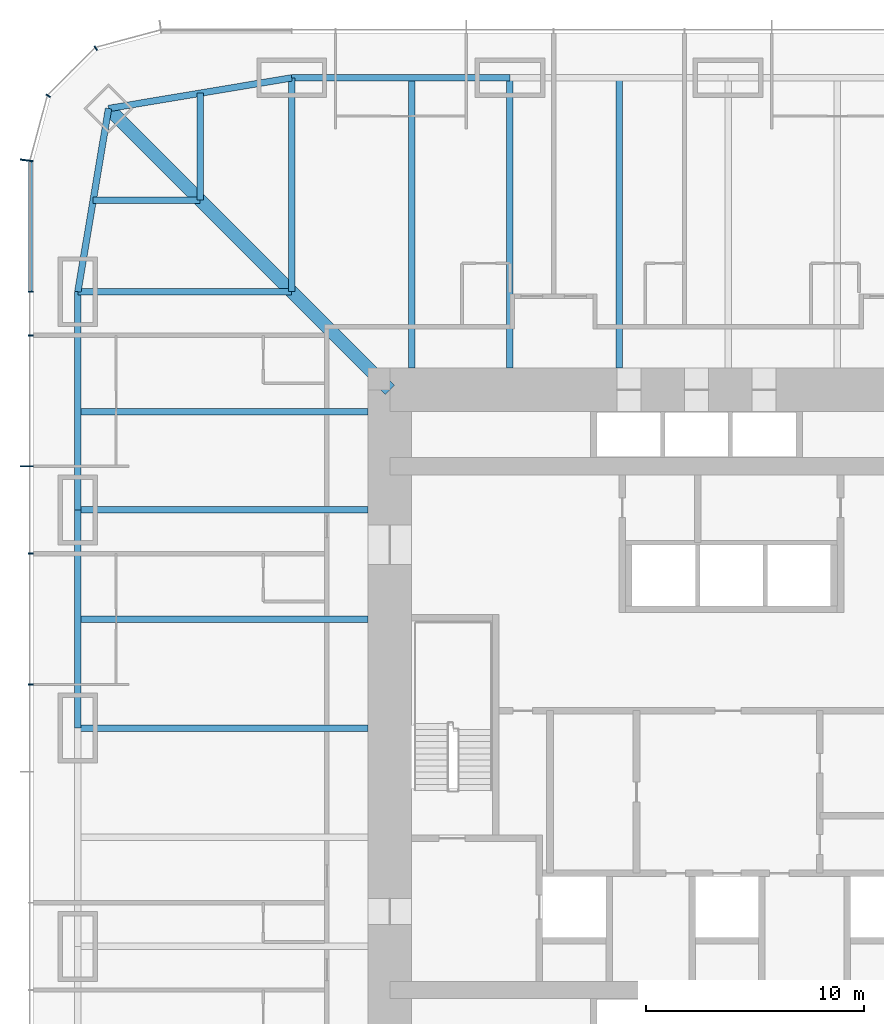
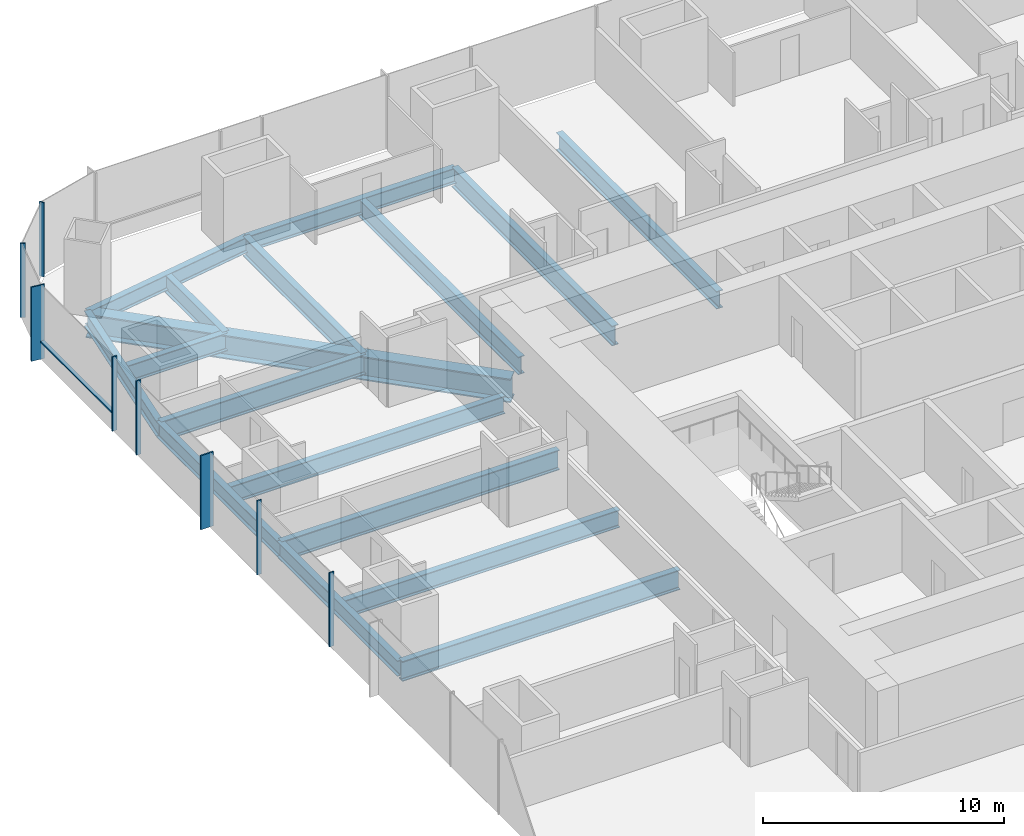
# One storey, part 6 of 20: 17 beams, 9 members, 2 elements without a shape of their own.
"""IFC4 building model written with IfcOpenShell, lengths in metres."""

from ifc_helpers import new_model, si_unit, direction, frame, origin, origin_2d, place, context, subcontext, project, spatial, rectangle, i_section, extrude, material, material_profile, profile_set, type_object, element, aggregate, save


model = new_model("IFC4")

# Units and contexts
model_context = context("Model", 3, precision=1e-05, world=origin(), true_north=direction((0.0, 1.0)))
body_context = subcontext(model_context, "Body", "Model", "MODEL_VIEW")
ifc_project = project(units=[si_unit("LENGTHUNIT", "METRE"), si_unit("AREAUNIT", "SQUARE_METRE"), si_unit("VOLUMEUNIT", "CUBIC_METRE"), si_unit("PLANEANGLEUNIT", "RADIAN"), si_unit("MASSUNIT", "GRAM", prefix="KILO")], contexts=[model_context])

# Site, building, storey
site_placement = place(None, origin())
site = spatial("IfcSite", under=ifc_project, at=site_placement, CompositionType="ELEMENT")
building_placement = place(site_placement, origin())
building = spatial("IfcBuilding", under=site, at=building_placement, Name="Khuree Lantern Residences", CompositionType="ELEMENT")
storey_placement = place(building_placement, frame((0.0, 0.0, 24.75)))
storey = spatial("IfcBuildingStorey", under=building, at=storey_placement, Name="L05", CompositionType="ELEMENT", Elevation=24.75)

# Beams
ifc_material_1 = material(Name="Steel S355", Category="steel")
ifc_material_profile_1 = material_profile(ifc_material_1, i_section(OverallWidth=0.300048828125, OverallDepth=0.889892578125, WebThickness=0.01611328125, FlangeThickness=0.030029296875, FilletRadius=0.030029296875, at=origin_2d()), Name="HE 900 A")
ifc_profile_set_1 = profile_set([ifc_material_profile_1], Name="Steel S355")
beam_type_1 = type_object("IfcBeamType", Name="B-11 SECONDARY BEAM HE 900 A", PredefinedType="BEAM", material=ifc_profile_set_1)
for number, where, z_axis, x_axis, name in (
    (1, (-14.5, 29.800048828125, -0.695068359375), (0.0, -1.0, 0.0), (1.0, 0.0, 0.0), "Secondary beam N1"),
    (2, (-5.0, 29.800048828125, -0.695068359375), (0.0, -1.0, 0.0), (1.0, 0.0, 0.0), "Secondary beam N2"),
    (3, (-29.800048828125, 5.0, -0.695068359375), (1.0, 0.0, 0.0), (0.0, 1.0, 0.0), "Secondary beam W4"),
    (4, (-29.800048828125, 14.5, -0.695068359375), (1.0, 0.0, 0.0), (0.0, 1.0, 0.0), "Secondary beam W5"),
):
    element("IfcBeam", number, at=place(storey_placement, frame(where, z_axis=z_axis, x_axis=x_axis)), inside=storey, type_object=beam_type_1, Name=name, PredefinedType="BEAM", context=body_context, shape_type="SweptSolid", body=[
        extrude(i_section(OverallWidth=0.300048828125, OverallDepth=0.889892578125, WebThickness=0.01611328125, FlangeThickness=0.030029296875, FilletRadius=0.030029296875, at=origin_2d()), origin(), (0.0, 0.0, 1.0), 13.300048828125),
    ])
for number, where, z_axis, x_axis, name in (
    (5, (-29.09716796875, 24.197021484375, -0.695068359375), (1.0, 0.0, 0.0), (0.0, 1.0, 0.0), "Secondary beam W6"),
    (6, (-24.197021484375, 29.09716796875, -0.695068359375), (0.0, -1.0, 0.0), (1.0, 0.0, 0.0), "Secondary beam N6"),
):
    element("IfcBeam", number, at=place(storey_placement, frame(where, z_axis=z_axis, x_axis=x_axis)), inside=storey, type_object=beam_type_1, Name=name, PredefinedType="BEAM", context=body_context, shape_type="SweptSolid", body=[
        extrude(i_section(OverallWidth=0.300048828125, OverallDepth=0.889892578125, WebThickness=0.01611328125, FlangeThickness=0.030029296875, FilletRadius=0.030029296875, at=origin_2d()), origin(), (0.0, 0.0, 1.0), 4.900146484375),
    ])
ifc_material_profile_2 = material_profile(ifc_material_1, i_section(OverallWidth=0.300048828125, OverallDepth=0.7900390625, WebThickness=0.014892578125, FlangeThickness=0.028076171875, FilletRadius=0.030029296875, at=origin_2d()), Name="HE 800 A")
ifc_profile_set_2 = profile_set([ifc_material_profile_2], Name="Steel S355")
beam_type_2 = type_object("IfcBeamType", Name="E-11 SPANDREL BEAM HE 800 A", PredefinedType="SPANDREL", material=ifc_profile_set_2)
for number, where, z_axis, x_axis, name in (
    (7, (-20.0, 29.800048828125, -0.64501953125), (1.0, 0.0, 0.0), (0.0, 1.0, 0.0), "Spandrel beam N1"),
    (8, (-29.800048828125, 0.0, -0.64501953125), (0.0, 1.0, 0.0), (-1.0, 0.0, 0.0), "Spandrel beam W4"),
    (9, (-29.800048828125, 10.0, -0.64501953125), (0.0, 1.0, 0.0), (-1.0, 0.0, 0.0), "Spandrel beam W5"),
):
    element("IfcBeam", number, at=place(storey_placement, frame(where, z_axis=z_axis, x_axis=x_axis)), inside=storey, type_object=beam_type_2, Name=name, PredefinedType="SPANDREL", context=body_context, shape_type="SweptSolid", body=[
        extrude(i_section(OverallWidth=0.300048828125, OverallDepth=0.7900390625, WebThickness=0.014892578125, FlangeThickness=0.028076171875, FilletRadius=0.030029296875, at=origin_2d()), origin(), (0.0, 0.0, 1.0), 10.0),
    ])
for number, where, z_axis, x_axis, name in (
    (10, (-29.800048828125, 20.0, -0.64501953125), (0.165199022349, 0.986260251158, 0.0), (-0.986260251158, 0.165199022349, 0.0), "Spandrel beam W6"),
    (11, (-28.39404296875, 28.39404296875, -0.64501953125), (0.986260251158, 0.165199022349, 0.0), (-0.165199022349, 0.986260251158, 0.0), "Spandrel beam N6"),
):
    element("IfcBeam", number, at=place(storey_placement, frame(where, z_axis=z_axis, x_axis=x_axis)), inside=storey, type_object=beam_type_2, Name=name, PredefinedType="SPANDREL", context=body_context, shape_type="SweptSolid", body=[
        extrude(i_section(OverallWidth=0.300048828125, OverallDepth=0.7900390625, WebThickness=0.014892578125, FlangeThickness=0.028076171875, FilletRadius=0.030029296875, at=origin_2d()), origin(), (0.0, 0.0, 1.0), 8.510986328125),
    ])

# Curtain wall, members
ifc_material_2 = material(Name="Bronze anodised aluminium", Category="aluminium")
curtain_wall_type_1 = type_object("IfcCurtainWallType", Name="CW-T1 TOWER FACE CURTAIN WALL", PredefinedType="USERDEFINED", material=ifc_material_2)
curtain_wall_1_placement = place(storey_placement, origin())
curtain_wall_1 = element("IfcCurtainWall", 12, at=curtain_wall_1_placement, inside=storey, type_object=curtain_wall_type_1, Name="L05 WEST FACE CURTAIN WALL", ObjectType="Stick-built curtain wall", PredefinedType="USERDEFINED")
ifc_material_profile_3 = material_profile(ifc_material_2, rectangle(XDim=0.06494140625, YDim=0.60009765625, at=origin_2d()), Name="F1 65X600")
ifc_profile_set_3 = profile_set([ifc_material_profile_3], Name="Bronze anodised aluminium")
member_type_1 = type_object("IfcMemberType", Name="F1 BRONZE FIN MULLION TOWER 65X600", PredefinedType="MULLION", material=ifc_profile_set_3)
member_1_placement = place(storey_placement, frame((-32.150146484375, 26.019775390625, 0.0), z_axis=(0.0, 0.0, 1.0), x_axis=(-0.130526257387, -0.991444852794, 0.0)))
member_1 = element("IfcMember", 13, at=member_1_placement, type_object=member_type_1, Name="L05 WEST FACE FIN MULLION 32", PredefinedType="MULLION", context=body_context, shape_type="SweptSolid", body=[
    extrude(rectangle(XDim=0.06494140625, YDim=0.60009765625, at=origin_2d()), origin(), (0.0, 0.0, 1.0), 3.75),
])
member_2_placement = place(storey_placement, frame((-32.14990234375, 12.0, 0.0), z_axis=(0.0, 0.0, 1.0), x_axis=(0.0, -1.0, 0.0)))
member_2 = element("IfcMember", 14, at=member_2_placement, type_object=member_type_1, Name="L05 WEST FACE FIN MULLION 35", PredefinedType="MULLION", context=body_context, shape_type="SweptSolid", body=[
    extrude(rectangle(XDim=0.06494140625, YDim=0.60009765625, at=origin_2d()), origin(), (0.0, 0.0, 1.0), 3.75),
])

# Beams
ifc_material_profile_4 = material_profile(ifc_material_1, i_section(OverallWidth=0.302001953125, OverallDepth=1.008056640625, WebThickness=0.02099609375, FlangeThickness=0.0400390625, FilletRadius=0.030029296875, at=origin_2d()), Name="HE 1000 M")
ifc_profile_set_4 = profile_set([ifc_material_profile_4], Name="Steel S355")
beam_type_3 = type_object("IfcBeamType", Name="G-11 GIRDER HE 1000 M", PredefinedType="BEAM", material=ifc_profile_set_4)
beam_1_placement = place(storey_placement, frame((-20.0, 29.800048828125, -0.75390625), z_axis=(0.0, -1.0, 0.0), x_axis=(1.0, 0.0, 0.0)))
element("IfcBeam", 15, at=beam_1_placement, inside=storey, type_object=beam_type_3, Name="Girder N1", PredefinedType="BEAM", context=body_context, shape_type="SweptSolid", body=[
    extrude(i_section(OverallWidth=0.302001953125, OverallDepth=1.008056640625, WebThickness=0.02099609375, FlangeThickness=0.0400390625, FilletRadius=0.030029296875, at=origin_2d()), origin(), (0.0, 0.0, 1.0), 9.800048828125),
])
for number, where, z_axis, x_axis, name in (
    (16, (-10.0, 29.800048828125, -0.75390625), (0.0, -1.0, 0.0), (1.0, 0.0, 0.0), "Girder N2"),
    (17, (-29.800048828125, 0.0, -0.75390625), (1.0, 0.0, 0.0), (0.0, 1.0, 0.0), "Girder W3"),
    (18, (-29.800048828125, 10.0, -0.75390625), (1.0, 0.0, 0.0), (0.0, 1.0, 0.0), "Girder W4"),
):
    element("IfcBeam", number, at=place(storey_placement, frame(where, z_axis=z_axis, x_axis=x_axis)), inside=storey, type_object=beam_type_3, Name=name, PredefinedType="BEAM", context=body_context, shape_type="SweptSolid", body=[
        extrude(i_section(OverallWidth=0.302001953125, OverallDepth=1.008056640625, WebThickness=0.02099609375, FlangeThickness=0.0400390625, FilletRadius=0.030029296875, at=origin_2d()), origin(), (0.0, 0.0, 1.0), 13.300048828125),
    ])
beam_2_placement = place(storey_placement, frame((-29.800048828125, 20.0, -0.75390625), z_axis=(1.0, 0.0, 0.0), x_axis=(0.0, 1.0, 0.0)))
element("IfcBeam", 19, at=beam_2_placement, inside=storey, type_object=beam_type_3, Name="Girder W5", PredefinedType="BEAM", context=body_context, shape_type="SweptSolid", body=[
    extrude(i_section(OverallWidth=0.302001953125, OverallDepth=1.008056640625, WebThickness=0.02099609375, FlangeThickness=0.0400390625, FilletRadius=0.030029296875, at=origin_2d()), origin(), (0.0, 0.0, 1.0), 9.800048828125),
])
ifc_material_profile_5 = material_profile(ifc_material_1, i_section(OverallWidth=0.60009765625, OverallDepth=1.199951171875, WebThickness=0.030029296875, FlangeThickness=0.06005859375, at=origin_2d()), Name="WELDED I 1200X600X30X60")
ifc_profile_set_5 = profile_set([ifc_material_profile_5], Name="Steel S355")
beam_type_4 = type_object("IfcBeamType", Name="GD-11 CORNER GIRDER WELDED I 1200X600X30X60", PredefinedType="BEAM", material=ifc_profile_set_5)
beam_3_placement = place(storey_placement, frame((-28.39404296875, 28.39404296875, -0.85009765625), z_axis=(0.707106781187, -0.707106781187, 0.0), x_axis=(0.707106781187, 0.707106781187, 0.0)))
element("IfcBeam", 20, at=beam_3_placement, inside=storey, type_object=beam_type_4, Name="Corner girder NW", PredefinedType="BEAM", context=body_context, shape_type="SweptSolid", body=[
    extrude(i_section(OverallWidth=0.60009765625, OverallDepth=1.199951171875, WebThickness=0.030029296875, FlangeThickness=0.06005859375, at=origin_2d()), origin(), (0.0, 0.0, 1.0), 18.23486328125),
])

# Curtain wall, members
curtain_wall_type_2 = type_object("IfcCurtainWallType", Name="CW-T2 TOWER CORNER CURTAIN WALL", PredefinedType="USERDEFINED", material=ifc_material_2)
curtain_wall_2_placement = place(storey_placement, origin())
curtain_wall_2 = element("IfcCurtainWall", 21, at=curtain_wall_2_placement, inside=storey, type_object=curtain_wall_type_2, Name="L05 NORTH-WEST CORNER CURTAIN WALL", ObjectType="Faceted corner curtain wall", PredefinedType="USERDEFINED")
ifc_material_profile_6 = material_profile(ifc_material_2, rectangle(XDim=0.06494140625, YDim=0.219970703125, at=origin_2d()), Name="M1 65X220")
ifc_profile_set_6 = profile_set([ifc_material_profile_6], Name="Bronze anodised aluminium")
member_type_2 = type_object("IfcMemberType", Name="M1 BRONZE MULLION TOWER 65X220", PredefinedType="MULLION", material=ifc_profile_set_6)
member_3_placement = place(storey_placement, frame((-28.97998046875, 31.16162109375, 0.0), z_axis=(0.0, 0.0, 1.0), x_axis=(-0.86602537092, -0.500000056923, 0.0)))
member_3 = element("IfcMember", 22, at=member_3_placement, type_object=member_type_2, Name="L05 NORTH-WEST CORNER MULLION 30", PredefinedType="MULLION", context=body_context, shape_type="SweptSolid", body=[
    extrude(rectangle(XDim=0.06494140625, YDim=0.219970703125, at=origin_2d()), origin(), (0.0, 0.0, 1.0), 3.75),
])
member_4_placement = place(storey_placement, frame((-31.16162109375, 28.97998046875, 0.0), z_axis=(0.0, 0.0, 1.0), x_axis=(-0.500000056923, -0.86602537092, 0.0)))
member_4 = element("IfcMember", 23, at=member_4_placement, type_object=member_type_2, Name="L05 NORTH-WEST CORNER MULLION 31", PredefinedType="MULLION", context=body_context, shape_type="SweptSolid", body=[
    extrude(rectangle(XDim=0.06494140625, YDim=0.219970703125, at=origin_2d()), origin(), (0.0, 0.0, 1.0), 3.75),
])
aggregate(curtain_wall_2, [member_3, member_4])

# Member
member_5_placement = place(storey_placement, frame((-31.9599609375, 20.0, 0.0), z_axis=(0.0, 0.0, 1.0), x_axis=(0.0, -1.0, 0.0)))
member_5 = element("IfcMember", 24, at=member_5_placement, type_object=member_type_2, Name="L05 WEST FACE MULLION 33", PredefinedType="MULLION", context=body_context, shape_type="SweptSolid", body=[
    extrude(rectangle(XDim=0.06494140625, YDim=0.219970703125, at=origin_2d()), origin(), (0.0, 0.0, 1.0), 3.75),
])

member_6_placement = place(storey_placement, frame((-31.9599609375, 18.0, 0.0), z_axis=(0.0, 0.0, 1.0), x_axis=(0.0, -1.0, 0.0)))
member_6 = element("IfcMember", 25, at=member_6_placement, type_object=member_type_2, Name="L05 WEST FACE MULLION 34", PredefinedType="MULLION", context=body_context, shape_type="SweptSolid", body=[
    extrude(rectangle(XDim=0.06494140625, YDim=0.219970703125, at=origin_2d()), origin(), (0.0, 0.0, 1.0), 3.75),
])

member_7_placement = place(storey_placement, frame((-31.9599609375, 8.0, 0.0), z_axis=(0.0, 0.0, 1.0), x_axis=(0.0, -1.0, 0.0)))
member_7 = element("IfcMember", 26, at=member_7_placement, type_object=member_type_2, Name="L05 WEST FACE MULLION 36", PredefinedType="MULLION", context=body_context, shape_type="SweptSolid", body=[
    extrude(rectangle(XDim=0.06494140625, YDim=0.219970703125, at=origin_2d()), origin(), (0.0, 0.0, 1.0), 3.75),
])

member_8_placement = place(storey_placement, frame((-31.9599609375, 2.0, 0.0), z_axis=(0.0, 0.0, 1.0), x_axis=(0.0, -1.0, 0.0)))
member_8 = element("IfcMember", 27, at=member_8_placement, type_object=member_type_2, Name="L05 WEST FACE MULLION 37", PredefinedType="MULLION", context=body_context, shape_type="SweptSolid", body=[
    extrude(rectangle(XDim=0.06494140625, YDim=0.219970703125, at=origin_2d()), origin(), (0.0, 0.0, 1.0), 3.75),
])

ifc_material_profile_7 = material_profile(ifc_material_2, rectangle(XDim=0.179931640625, YDim=0.06494140625, at=origin_2d()), Name="T1 180X65")
ifc_profile_set_7 = profile_set([ifc_material_profile_7], Name="Bronze anodised aluminium")
member_type_3 = type_object("IfcMemberType", Name="TRANSOM T1 TOWER 180X65", PredefinedType="USERDEFINED", material=ifc_profile_set_7)
member_9_placement = place(storey_placement, frame((-31.969970703125, 25.951416015625, 0.89990234375), z_axis=(0.0, -1.0, 0.0), x_axis=(1.0, 0.0, 0.0)))
member_9 = element("IfcMember", 28, at=member_9_placement, type_object=member_type_3, Name="L05 WEST FACE TRANSOM 32.1", ObjectType="Transom", PredefinedType="USERDEFINED", context=body_context, shape_type="SweptSolid", body=[
    extrude(rectangle(XDim=0.179931640625, YDim=0.06494140625, at=origin_2d()), origin(), (0.0, 0.0, 1.0), 5.9189453125),
])

aggregate(curtain_wall_1, [member_1, member_5, member_6, member_2, member_7, member_8, member_9])

save(model, "model.ifc")
